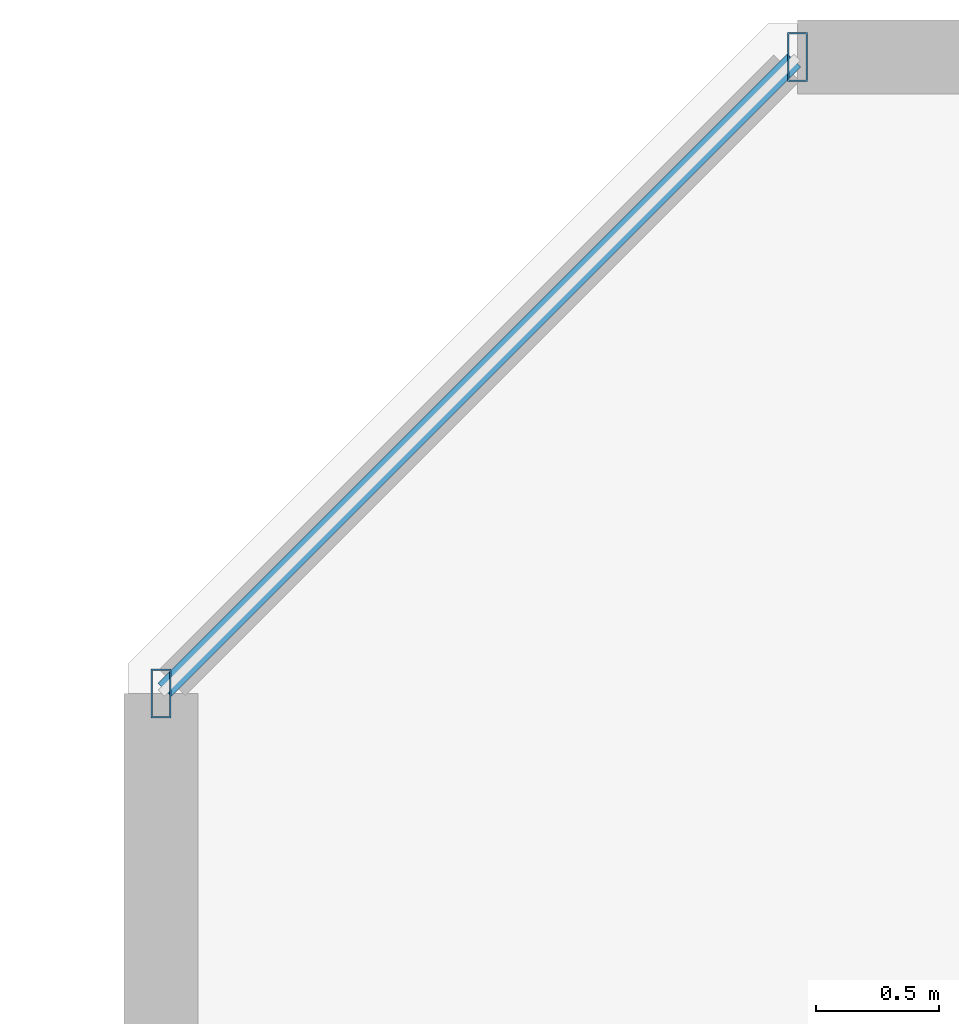
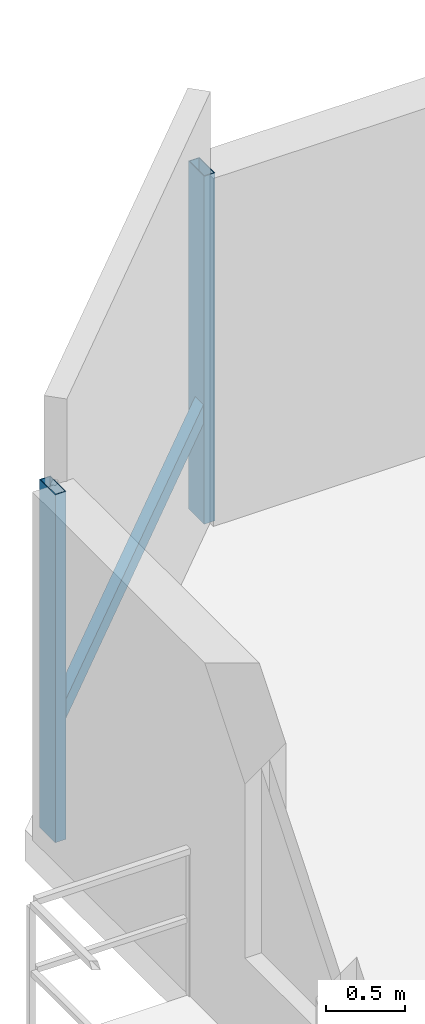
# One storey, part 7 of 33: 3 members, 1 element without a shape of its own.
"""IFC4 building model written with IfcOpenShell, lengths in metres."""

from ifc_helpers import new_model, si_unit, direction, frame, origin, origin_2d, place, context, subcontext, project, spatial, hollow_rectangle, extrude, material, material_profile, profile_set, type_object, element, aggregate, save


model = new_model("IFC4")

# Units and contexts
model_context = context("Model", 3, precision=1e-05, world=origin(), true_north=direction((0.0, 1.0)))
body_context = subcontext(model_context, "Body", "Model", "MODEL_VIEW")
ifc_project = project(units=[si_unit("LENGTHUNIT", "METRE"), si_unit("AREAUNIT", "SQUARE_METRE"), si_unit("VOLUMEUNIT", "CUBIC_METRE"), si_unit("PLANEANGLEUNIT", "RADIAN"), si_unit("MASSUNIT", "GRAM", prefix="KILO")], contexts=[model_context])

# Site, building, storey
site_placement = place(None, origin())
site = spatial("IfcSite", under=ifc_project, at=site_placement, CompositionType="ELEMENT")
building_placement = place(site_placement, origin())
building = spatial("IfcBuilding", under=site, at=building_placement, Name="Thornwick Lancets Civic Towers", CompositionType="ELEMENT")
storey_placement = place(building_placement, frame((0.0, 0.0, 134.10009765625)))
storey = spatial("IfcBuildingStorey", under=building, at=storey_placement, Name="L35", CompositionType="ELEMENT", Elevation=134.10009765625)

# Curtain wall, members
ifc_material_1 = material(Name="Mid-zone chamfered-corner unitised glass curtain wall", Category="glass")
curtain_wall_type = type_object("IfcCurtainWallType", Name="CW_SYS_04", PredefinedType="NOTDEFINED", material=ifc_material_1)
curtain_wall_placement = place(storey_placement, origin())
curtain_wall = element("IfcCurtainWall", 1, at=curtain_wall_placement, inside=storey, type_object=curtain_wall_type, Name="L35 Curtain Wall CW-L35-A-E5", PredefinedType="NOTDEFINED")
ifc_material_2 = material(Name="Thermally broken bronze aluminium S355", Category="steel")
ifc_material_profile_1 = material_profile(ifc_material_2, hollow_rectangle(XDim=0.080078125, YDim=0.199951171875, WallThickness=0.006103515625, at=origin_2d()), Name="RHS 200x80x6")
ifc_profile_set_1 = profile_set([ifc_material_profile_1], Name="Thermally broken bronze aluminium S355")
member_type_1 = type_object("IfcMemberType", Name="CW_MUL_200", PredefinedType="MULLION", material=ifc_profile_set_1)
member_1_placement = place(storey_placement, frame((4.318603515625, 44.7646484375, 0.0), z_axis=(0.0, 0.0, 1.0), x_axis=(1.0, 0.0, 0.0)))
member_1 = element("IfcMember", 2, at=member_1_placement, type_object=member_type_1, Name="CW-L35-A-E5 Mullion 0", PredefinedType="MULLION", context=body_context, shape_type="SweptSolid", body=[
    extrude(hollow_rectangle(XDim=0.080078125, YDim=0.199951171875, WallThickness=0.006103515625, at=origin_2d()), origin(), (0.0, 0.0, 1.0), 2.699951171875),
])
member_2_placement = place(storey_placement, frame((1.7353515625, 42.181396484375, 0.0), z_axis=(0.0, 0.0, 1.0), x_axis=(1.0, 0.0, 0.0)))
member_2 = element("IfcMember", 3, at=member_2_placement, type_object=member_type_1, Name="CW-L35-A-E5 Mullion 1", PredefinedType="MULLION", context=body_context, shape_type="SweptSolid", body=[
    extrude(hollow_rectangle(XDim=0.080078125, YDim=0.199951171875, WallThickness=0.006103515625, at=origin_2d()), origin(), (0.0, 0.0, 1.0), 2.699951171875),
])
ifc_material_profile_2 = material_profile(ifc_material_2, hollow_rectangle(XDim=0.074951171875, YDim=0.14990234375, WallThickness=0.0048828125, at=origin_2d()), Name="RHS 150x75x5")
ifc_profile_set_2 = profile_set([ifc_material_profile_2], Name="Thermally broken bronze aluminium S355")
member_type_2 = type_object("IfcMemberType", Name="CW_TRN_150", PredefinedType="USERDEFINED", material=ifc_profile_set_2)
member_3_placement = place(storey_placement, frame((4.304443359375, 44.75048828125, 0.849853515625), z_axis=(-0.707106781187, -0.707106781187, 0.0), x_axis=(0.707106781187, -0.707106781187, 0.0)))
member_3 = element("IfcMember", 4, at=member_3_placement, type_object=member_type_2, Name="CW-L35-A-E5 Transom 0", ObjectType="TRANSOM", PredefinedType="USERDEFINED", context=body_context, shape_type="SweptSolid", body=[
    extrude(hollow_rectangle(XDim=0.074951171875, YDim=0.14990234375, WallThickness=0.0048828125, at=origin_2d()), origin(), (0.0, 0.0, 1.0), 3.61328125),
])
aggregate(curtain_wall, [member_1, member_2, member_3])

save(model, "model.ifc")
